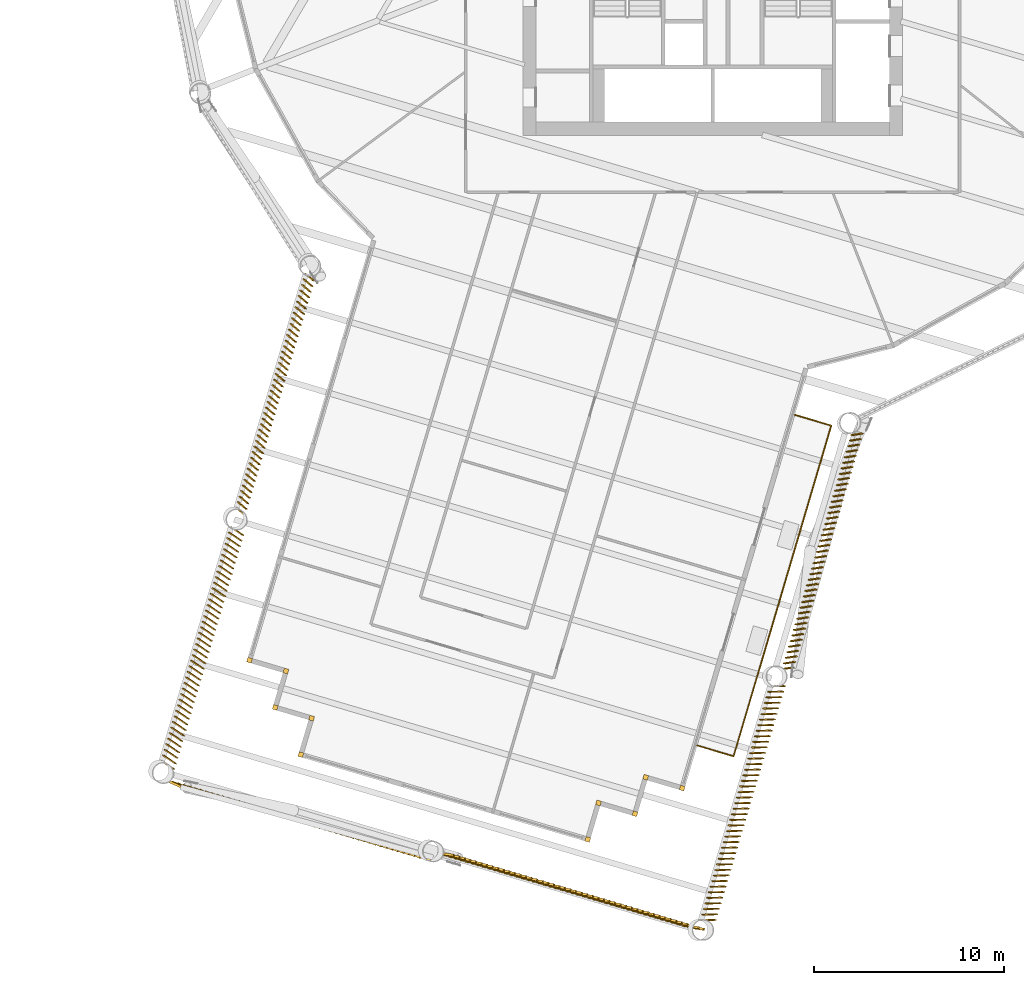
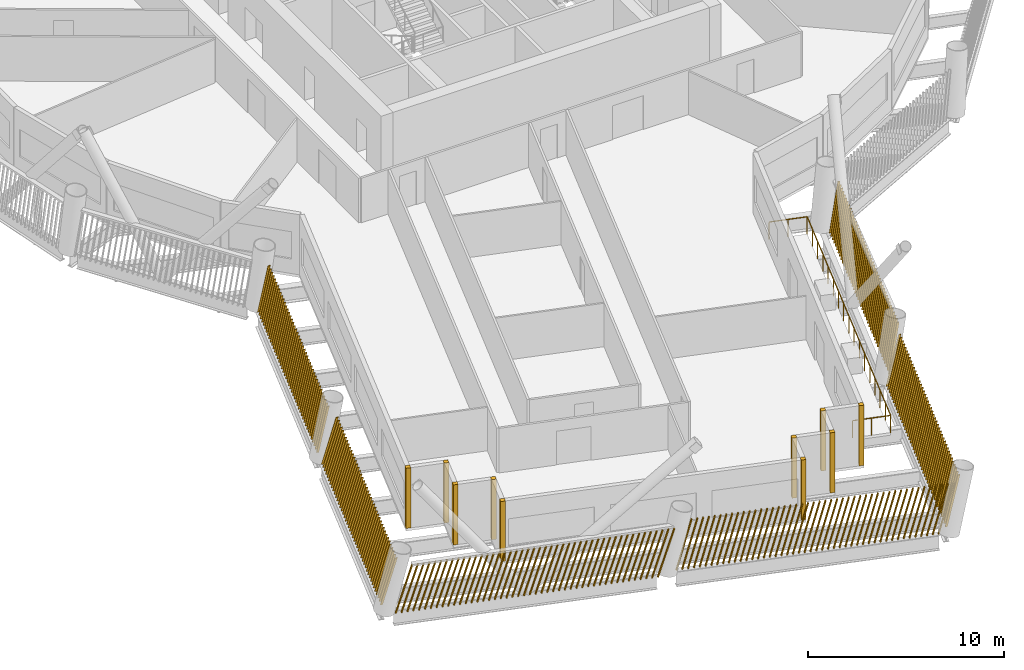
# One storey, part 19 of 23: 16 shading devices, 1 railing.
"""IFC4 building model written with IfcOpenShell, lengths in metres."""

from ifc_helpers import new_model, si_unit, direction, frame, frame_2d, origin, origin_2d, place, context, subcontext, project, spatial, rectangle, circle, composite_profile, extrude, material, type_object, element, save


model = new_model("IFC4")

# Units and contexts
model_context = context("Model", 3, precision=1e-05, world=origin(), true_north=direction((0.0, 1.0)))
body_context = subcontext(model_context, "Body", "Model", "MODEL_VIEW")
ifc_project = project(units=[si_unit("LENGTHUNIT", "METRE"), si_unit("AREAUNIT", "SQUARE_METRE"), si_unit("VOLUMEUNIT", "CUBIC_METRE"), si_unit("PLANEANGLEUNIT", "RADIAN"), si_unit("MASSUNIT", "GRAM", prefix="KILO")], contexts=[model_context])

# Site, building, storey
site_placement = place(None, origin())
site = spatial("IfcSite", under=ifc_project, at=site_placement, CompositionType="ELEMENT")
building_placement = place(site_placement, origin())
building = spatial("IfcBuilding", under=site, at=building_placement, Name="Tarsis Ring Headquarters", CompositionType="ELEMENT")
storey_placement = place(building_placement, frame((0.0, 0.0, 155.39990234375)))
storey = spatial("IfcBuildingStorey", under=building, at=storey_placement, Name="L35", CompositionType="ELEMENT", Elevation=155.39990234375)

# Railing
ifc_material_1 = material(Name="Stainless steel guard", Category="steel")
railing_type = type_object("IfcRailingType", Name="Balcony balustrade with mesh infill 1100", PredefinedType="BALUSTRADE", material=ifc_material_1)
railing_placement = place(storey_placement, frame((-0.8173828125, -45.117431640625, 0.0)))
element("IfcRailing", 1, at=railing_placement, inside=storey, type_object=railing_type, Name="Balcony balustrade L35-16", PredefinedType="BALUSTRADE", context=body_context, shape_type="SweptSolid", body=[
    extrude(circle(Radius=0.030029296875, at=origin_2d()), frame((0.0, 0.0, 1.070068359375), z_axis=(0.959020723633, -0.283335934261, 0.0), x_axis=(0.283335934261, 0.959020723633, 0.0)), (0.0, 0.0, 1.0), 2.0),
    extrude(circle(Radius=0.030029296875, at=origin_2d()), frame((1.91796875, -0.566650390625, 1.070068359375), z_axis=(0.283355981075, 0.959014800714, 0.0), x_axis=(-0.959014800714, 0.283355981075, 0.0)), (0.0, 0.0, 1.0), 18.1513671875),
    extrude(circle(Radius=0.030029296875, at=origin_2d()), frame((7.061279296875, 16.8408203125, 1.070068359375), z_axis=(-0.959030521997, 0.283302767157, 0.0), x_axis=(-0.283302767157, -0.959030521997, 0.0)), (0.0, 0.0, 1.0), 2.000244140625),
    extrude(circle(Radius=0.02490234375, at=origin_2d()), origin(), (0.0, 0.0, 1.0), 1.0400390625),
    extrude(circle(Radius=0.02490234375, at=origin_2d()), frame((0.958984375, -0.283203125, 0.0)), (0.0, 0.0, 1.0), 1.0400390625),
    extrude(circle(Radius=0.02490234375, at=origin_2d()), frame((1.91796875, -0.566650390625, 0.0)), (0.0, 0.0, 1.0), 1.0400390625),
    extrude(circle(Radius=0.02490234375, at=origin_2d()), frame((2.239501953125, 0.521240234375, 0.0)), (0.0, 0.0, 1.0), 1.0400390625),
    extrude(circle(Radius=0.02490234375, at=origin_2d()), frame((2.560791015625, 1.609375, 0.0)), (0.0, 0.0, 1.0), 1.0400390625),
    extrude(circle(Radius=0.02490234375, at=origin_2d()), frame((2.88232421875, 2.697265625, 0.0)), (0.0, 0.0, 1.0), 1.0400390625),
    extrude(circle(Radius=0.02490234375, at=origin_2d()), frame((3.203857421875, 3.78515625, 0.0)), (0.0, 0.0, 1.0), 1.0400390625),
    extrude(circle(Radius=0.02490234375, at=origin_2d()), frame((3.525146484375, 4.873291015625, 0.0)), (0.0, 0.0, 1.0), 1.0400390625),
    extrude(circle(Radius=0.02490234375, at=origin_2d()), frame((3.8466796875, 5.961181640625, 0.0)), (0.0, 0.0, 1.0), 1.0400390625),
    extrude(circle(Radius=0.02490234375, at=origin_2d()), frame((4.168212890625, 7.049072265625, 0.0)), (0.0, 0.0, 1.0), 1.0400390625),
    extrude(circle(Radius=0.02490234375, at=origin_2d()), frame((4.48974609375, 8.13720703125, 0.0)), (0.0, 0.0, 1.0), 1.0400390625),
    extrude(circle(Radius=0.02490234375, at=origin_2d()), frame((4.81103515625, 9.22509765625, 0.0)), (0.0, 0.0, 1.0), 1.0400390625),
    extrude(circle(Radius=0.02490234375, at=origin_2d()), frame((5.132568359375, 10.31298828125, 0.0)), (0.0, 0.0, 1.0), 1.0400390625),
    extrude(circle(Radius=0.02490234375, at=origin_2d()), frame((5.4541015625, 11.40087890625, 0.0)), (0.0, 0.0, 1.0), 1.0400390625),
    extrude(circle(Radius=0.02490234375, at=origin_2d()), frame((5.775390625, 12.489013671875, 0.0)), (0.0, 0.0, 1.0), 1.0400390625),
    extrude(circle(Radius=0.02490234375, at=origin_2d()), frame((6.096923828125, 13.576904296875, 0.0)), (0.0, 0.0, 1.0), 1.0400390625),
    extrude(circle(Radius=0.02490234375, at=origin_2d()), frame((6.41845703125, 14.664794921875, 0.0)), (0.0, 0.0, 1.0), 1.0400390625),
    extrude(circle(Radius=0.02490234375, at=origin_2d()), frame((6.73974609375, 15.7529296875, 0.0)), (0.0, 0.0, 1.0), 1.0400390625),
    extrude(circle(Radius=0.02490234375, at=origin_2d()), frame((7.061279296875, 16.8408203125, 0.0)), (0.0, 0.0, 1.0), 1.0400390625),
    extrude(circle(Radius=0.02490234375, at=origin_2d()), frame((6.10205078125, 17.1240234375, 0.0)), (0.0, 0.0, 1.0), 1.0400390625),
    extrude(circle(Radius=0.02490234375, at=origin_2d()), frame((5.14306640625, 17.407470703125, 0.0)), (0.0, 0.0, 1.0), 1.0400390625),
])

# Shading devices
ifc_material_2 = material(Name="Terracotta baguette", Category="masonry")
shading_device_type_1 = type_object("IfcShadingDeviceType", Name="Terracotta baguette screen", PredefinedType="USERDEFINED", material=ifc_material_2)
shading_device_1_placement = place(storey_placement, frame((-21.41748046875, -20.257080078125, 0.0), z_axis=(0.0, 0.0, 1.0), x_axis=(-0.28334090221, -0.959014532243, 0.0)))
element("IfcShadingDevice", 2, at=shading_device_1_placement, inside=storey, type_object=shading_device_type_1, Name="Baguette screen L35-01", ObjectType="Terracotta baguette screen", PredefinedType="USERDEFINED", context=body_context, shape_type="SweptSolid", body=[
    extrude(composite_profile([rectangle(XDim=0.06005859375, YDim=0.1201171875, at=frame_2d((0.030029296875, 0.0))), rectangle(XDim=0.06005859375, YDim=0.1201171875, at=frame_2d((0.335693359375, 0.0))), rectangle(XDim=0.06005859375, YDim=0.1201171875, at=frame_2d((0.6416015625, 0.0))), rectangle(XDim=0.06005859375, YDim=0.1201171875, at=frame_2d((0.947265625, 0.0))), rectangle(XDim=0.06005859375, YDim=0.1201171875, at=frame_2d((1.253173828125, 0.0))), rectangle(XDim=0.06005859375, YDim=0.1201171875, at=frame_2d((1.558837890625, 0.0))), rectangle(XDim=0.06005859375, YDim=0.1201171875, at=frame_2d((1.864501953125, 0.0))), rectangle(XDim=0.06005859375, YDim=0.1201171875, at=frame_2d((2.17041015625, 0.0))), rectangle(XDim=0.06005859375, YDim=0.1201171875, at=frame_2d((2.47607421875, 0.0))), rectangle(XDim=0.06005859375, YDim=0.1201171875, at=frame_2d((2.781982421875, 0.0))), rectangle(XDim=0.06005859375, YDim=0.1201171875, at=frame_2d((3.087646484375, 0.0))), rectangle(XDim=0.06005859375, YDim=0.1201171875, at=frame_2d((3.393310546875, 0.0))), rectangle(XDim=0.06005859375, YDim=0.1201171875, at=frame_2d((3.69921875, 0.0))), rectangle(XDim=0.06005859375, YDim=0.1201171875, at=frame_2d((4.0048828125, 0.0))), rectangle(XDim=0.06005859375, YDim=0.1201171875, at=frame_2d((4.310791015625, 0.0))), rectangle(XDim=0.06005859375, YDim=0.1201171875, at=frame_2d((4.616455078125, 0.0))), rectangle(XDim=0.06005859375, YDim=0.1201171875, at=frame_2d((4.922119140625, 0.0))), rectangle(XDim=0.06005859375, YDim=0.1201171875, at=frame_2d((5.22802734375, 0.0))), rectangle(XDim=0.06005859375, YDim=0.1201171875, at=frame_2d((5.53369140625, 0.0))), rectangle(XDim=0.06005859375, YDim=0.1201171875, at=frame_2d((5.839599609375, 0.0))), rectangle(XDim=0.06005859375, YDim=0.1201171875, at=frame_2d((6.145263671875, 0.0))), rectangle(XDim=0.06005859375, YDim=0.1201171875, at=frame_2d((6.451171875, 0.0))), rectangle(XDim=0.06005859375, YDim=0.1201171875, at=frame_2d((6.7568359375, 0.0))), rectangle(XDim=0.06005859375, YDim=0.1201171875, at=frame_2d((7.0625, 0.0))), rectangle(XDim=0.06005859375, YDim=0.1201171875, at=frame_2d((7.368408203125, 0.0))), rectangle(XDim=0.06005859375, YDim=0.1201171875, at=frame_2d((7.674072265625, 0.0))), rectangle(XDim=0.06005859375, YDim=0.1201171875, at=frame_2d((7.97998046875, 0.0))), rectangle(XDim=0.06005859375, YDim=0.1201171875, at=frame_2d((8.28564453125, 0.0))), rectangle(XDim=0.06005859375, YDim=0.1201171875, at=frame_2d((8.59130859375, 0.0))), rectangle(XDim=0.06005859375, YDim=0.1201171875, at=frame_2d((8.897216796875, 0.0))), rectangle(XDim=0.06005859375, YDim=0.1201171875, at=frame_2d((9.202880859375, 0.0))), rectangle(XDim=0.06005859375, YDim=0.1201171875, at=frame_2d((9.5087890625, 0.0))), rectangle(XDim=0.06005859375, YDim=0.1201171875, at=frame_2d((9.814453125, 0.0))), rectangle(XDim=0.06005859375, YDim=0.1201171875, at=frame_2d((10.1201171875, 0.0))), rectangle(XDim=0.06005859375, YDim=0.1201171875, at=frame_2d((10.426025390625, 0.0))), rectangle(XDim=0.06005859375, YDim=0.1201171875, at=frame_2d((10.731689453125, 0.0))), rectangle(XDim=0.06005859375, YDim=0.1201171875, at=frame_2d((11.03759765625, 0.0))), rectangle(XDim=0.06005859375, YDim=0.1201171875, at=frame_2d((11.34326171875, 0.0))), rectangle(XDim=0.06005859375, YDim=0.1201171875, at=frame_2d((11.64892578125, 0.0))), rectangle(XDim=0.06005859375, YDim=0.1201171875, at=frame_2d((11.954833984375, 0.0))), rectangle(XDim=0.06005859375, YDim=0.1201171875, at=frame_2d((12.260498046875, 0.0))), rectangle(XDim=0.06005859375, YDim=0.1201171875, at=frame_2d((12.56640625, 0.0))), rectangle(XDim=0.06005859375, YDim=0.1201171875, at=frame_2d((12.8720703125, 0.0)))]), origin(), (0.076135885713, 0.167784273662, 0.982879323426), 3.00146484375),
])
shading_device_2_placement = place(storey_placement, frame((-25.356689453125, -33.589599609375, 0.0), z_axis=(0.0, 0.0, 1.0), x_axis=(-0.28334090221, -0.959014532243, 0.0)))
element("IfcShadingDevice", 3, at=shading_device_2_placement, inside=storey, type_object=shading_device_type_1, Name="Baguette screen L35-02", ObjectType="Terracotta baguette screen", PredefinedType="USERDEFINED", context=body_context, shape_type="SweptSolid", body=[
    extrude(composite_profile([rectangle(XDim=0.06005859375, YDim=0.1201171875, at=frame_2d((0.030029296875, 0.0))), rectangle(XDim=0.06005859375, YDim=0.1201171875, at=frame_2d((0.335693359375, 0.0))), rectangle(XDim=0.06005859375, YDim=0.1201171875, at=frame_2d((0.6416015625, 0.0))), rectangle(XDim=0.06005859375, YDim=0.1201171875, at=frame_2d((0.947265625, 0.0))), rectangle(XDim=0.06005859375, YDim=0.1201171875, at=frame_2d((1.253173828125, 0.0))), rectangle(XDim=0.06005859375, YDim=0.1201171875, at=frame_2d((1.558837890625, 0.0))), rectangle(XDim=0.06005859375, YDim=0.1201171875, at=frame_2d((1.864501953125, 0.0))), rectangle(XDim=0.06005859375, YDim=0.1201171875, at=frame_2d((2.17041015625, 0.0))), rectangle(XDim=0.06005859375, YDim=0.1201171875, at=frame_2d((2.47607421875, 0.0))), rectangle(XDim=0.06005859375, YDim=0.1201171875, at=frame_2d((2.781982421875, 0.0))), rectangle(XDim=0.06005859375, YDim=0.1201171875, at=frame_2d((3.087646484375, 0.0))), rectangle(XDim=0.06005859375, YDim=0.1201171875, at=frame_2d((3.393310546875, 0.0))), rectangle(XDim=0.06005859375, YDim=0.1201171875, at=frame_2d((3.69921875, 0.0))), rectangle(XDim=0.06005859375, YDim=0.1201171875, at=frame_2d((4.0048828125, 0.0))), rectangle(XDim=0.06005859375, YDim=0.1201171875, at=frame_2d((4.310791015625, 0.0))), rectangle(XDim=0.06005859375, YDim=0.1201171875, at=frame_2d((4.616455078125, 0.0))), rectangle(XDim=0.06005859375, YDim=0.1201171875, at=frame_2d((4.922119140625, 0.0))), rectangle(XDim=0.06005859375, YDim=0.1201171875, at=frame_2d((5.22802734375, 0.0))), rectangle(XDim=0.06005859375, YDim=0.1201171875, at=frame_2d((5.53369140625, 0.0))), rectangle(XDim=0.06005859375, YDim=0.1201171875, at=frame_2d((5.839599609375, 0.0))), rectangle(XDim=0.06005859375, YDim=0.1201171875, at=frame_2d((6.145263671875, 0.0))), rectangle(XDim=0.06005859375, YDim=0.1201171875, at=frame_2d((6.451171875, 0.0))), rectangle(XDim=0.06005859375, YDim=0.1201171875, at=frame_2d((6.7568359375, 0.0))), rectangle(XDim=0.06005859375, YDim=0.1201171875, at=frame_2d((7.0625, 0.0))), rectangle(XDim=0.06005859375, YDim=0.1201171875, at=frame_2d((7.368408203125, 0.0))), rectangle(XDim=0.06005859375, YDim=0.1201171875, at=frame_2d((7.674072265625, 0.0))), rectangle(XDim=0.06005859375, YDim=0.1201171875, at=frame_2d((7.97998046875, 0.0))), rectangle(XDim=0.06005859375, YDim=0.1201171875, at=frame_2d((8.28564453125, 0.0))), rectangle(XDim=0.06005859375, YDim=0.1201171875, at=frame_2d((8.59130859375, 0.0))), rectangle(XDim=0.06005859375, YDim=0.1201171875, at=frame_2d((8.897216796875, 0.0))), rectangle(XDim=0.06005859375, YDim=0.1201171875, at=frame_2d((9.202880859375, 0.0))), rectangle(XDim=0.06005859375, YDim=0.1201171875, at=frame_2d((9.5087890625, 0.0))), rectangle(XDim=0.06005859375, YDim=0.1201171875, at=frame_2d((9.814453125, 0.0))), rectangle(XDim=0.06005859375, YDim=0.1201171875, at=frame_2d((10.1201171875, 0.0))), rectangle(XDim=0.06005859375, YDim=0.1201171875, at=frame_2d((10.426025390625, 0.0))), rectangle(XDim=0.06005859375, YDim=0.1201171875, at=frame_2d((10.731689453125, 0.0))), rectangle(XDim=0.06005859375, YDim=0.1201171875, at=frame_2d((11.03759765625, 0.0))), rectangle(XDim=0.06005859375, YDim=0.1201171875, at=frame_2d((11.34326171875, 0.0))), rectangle(XDim=0.06005859375, YDim=0.1201171875, at=frame_2d((11.64892578125, 0.0))), rectangle(XDim=0.06005859375, YDim=0.1201171875, at=frame_2d((11.954833984375, 0.0))), rectangle(XDim=0.06005859375, YDim=0.1201171875, at=frame_2d((12.260498046875, 0.0))), rectangle(XDim=0.06005859375, YDim=0.1201171875, at=frame_2d((12.56640625, 0.0))), rectangle(XDim=0.06005859375, YDim=0.1201171875, at=frame_2d((12.8720703125, 0.0)))]), origin(), (0.074469768209, 0.237049605147, 0.968639116659), 3.045654296875),
])
shading_device_3_placement = place(storey_placement, frame((-28.78076171875, -46.94384765625, 0.0), z_axis=(0.0, 0.0, 1.0), x_axis=(0.959009287926, -0.283343653251, 0.0)))
element("IfcShadingDevice", 4, at=shading_device_3_placement, inside=storey, type_object=shading_device_type_1, Name="Baguette screen L35-03", ObjectType="Terracotta baguette screen", PredefinedType="USERDEFINED", context=body_context, shape_type="SweptSolid", body=[
    extrude(composite_profile([rectangle(XDim=0.06005859375, YDim=0.1201171875, at=frame_2d((0.030029296875, 0.0))), rectangle(XDim=0.06005859375, YDim=0.1201171875, at=frame_2d((0.33544921875, 0.0))), rectangle(XDim=0.06005859375, YDim=0.1201171875, at=frame_2d((0.640625, 0.0))), rectangle(XDim=0.06005859375, YDim=0.1201171875, at=frame_2d((0.946044921875, 0.0))), rectangle(XDim=0.06005859375, YDim=0.1201171875, at=frame_2d((1.25146484375, 0.0))), rectangle(XDim=0.06005859375, YDim=0.1201171875, at=frame_2d((1.556640625, 0.0))), rectangle(XDim=0.06005859375, YDim=0.1201171875, at=frame_2d((1.862060546875, 0.0))), rectangle(XDim=0.06005859375, YDim=0.1201171875, at=frame_2d((2.16748046875, 0.0))), rectangle(XDim=0.06005859375, YDim=0.1201171875, at=frame_2d((2.47265625, 0.0))), rectangle(XDim=0.06005859375, YDim=0.1201171875, at=frame_2d((2.778076171875, 0.0))), rectangle(XDim=0.06005859375, YDim=0.1201171875, at=frame_2d((3.08349609375, 0.0))), rectangle(XDim=0.06005859375, YDim=0.1201171875, at=frame_2d((3.388671875, 0.0))), rectangle(XDim=0.06005859375, YDim=0.1201171875, at=frame_2d((3.694091796875, 0.0))), rectangle(XDim=0.06005859375, YDim=0.1201171875, at=frame_2d((3.99951171875, 0.0))), rectangle(XDim=0.06005859375, YDim=0.1201171875, at=frame_2d((4.3046875, 0.0))), rectangle(XDim=0.06005859375, YDim=0.1201171875, at=frame_2d((4.610107421875, 0.0))), rectangle(XDim=0.06005859375, YDim=0.1201171875, at=frame_2d((4.91552734375, 0.0))), rectangle(XDim=0.06005859375, YDim=0.1201171875, at=frame_2d((5.220703125, 0.0))), rectangle(XDim=0.06005859375, YDim=0.1201171875, at=frame_2d((5.526123046875, 0.0))), rectangle(XDim=0.06005859375, YDim=0.1201171875, at=frame_2d((5.83154296875, 0.0))), rectangle(XDim=0.06005859375, YDim=0.1201171875, at=frame_2d((6.13671875, 0.0))), rectangle(XDim=0.06005859375, YDim=0.1201171875, at=frame_2d((6.442138671875, 0.0))), rectangle(XDim=0.06005859375, YDim=0.1201171875, at=frame_2d((6.74755859375, 0.0))), rectangle(XDim=0.06005859375, YDim=0.1201171875, at=frame_2d((7.052734375, 0.0))), rectangle(XDim=0.06005859375, YDim=0.1201171875, at=frame_2d((7.358154296875, 0.0))), rectangle(XDim=0.06005859375, YDim=0.1201171875, at=frame_2d((7.66357421875, 0.0))), rectangle(XDim=0.06005859375, YDim=0.1201171875, at=frame_2d((7.96875, 0.0))), rectangle(XDim=0.06005859375, YDim=0.1201171875, at=frame_2d((8.274169921875, 0.0))), rectangle(XDim=0.06005859375, YDim=0.1201171875, at=frame_2d((8.57958984375, 0.0))), rectangle(XDim=0.06005859375, YDim=0.1201171875, at=frame_2d((8.884765625, 0.0))), rectangle(XDim=0.06005859375, YDim=0.1201171875, at=frame_2d((9.190185546875, 0.0))), rectangle(XDim=0.06005859375, YDim=0.1201171875, at=frame_2d((9.49560546875, 0.0))), rectangle(XDim=0.06005859375, YDim=0.1201171875, at=frame_2d((9.80078125, 0.0))), rectangle(XDim=0.06005859375, YDim=0.1201171875, at=frame_2d((10.106201171875, 0.0))), rectangle(XDim=0.06005859375, YDim=0.1201171875, at=frame_2d((10.41162109375, 0.0))), rectangle(XDim=0.06005859375, YDim=0.1201171875, at=frame_2d((10.716796875, 0.0))), rectangle(XDim=0.06005859375, YDim=0.1201171875, at=frame_2d((11.022216796875, 0.0))), rectangle(XDim=0.06005859375, YDim=0.1201171875, at=frame_2d((11.32763671875, 0.0))), rectangle(XDim=0.06005859375, YDim=0.1201171875, at=frame_2d((11.6328125, 0.0))), rectangle(XDim=0.06005859375, YDim=0.1201171875, at=frame_2d((11.938232421875, 0.0))), rectangle(XDim=0.06005859375, YDim=0.1201171875, at=frame_2d((12.24365234375, 0.0))), rectangle(XDim=0.06005859375, YDim=0.1201171875, at=frame_2d((12.548828125, 0.0))), rectangle(XDim=0.06005859375, YDim=0.1201171875, at=frame_2d((12.854248046875, 0.0))), rectangle(XDim=0.06005859375, YDim=0.1201171875, at=frame_2d((13.15966796875, 0.0))), rectangle(XDim=0.06005859375, YDim=0.1201171875, at=frame_2d((13.46484375, 0.0))), rectangle(XDim=0.06005859375, YDim=0.1201171875, at=frame_2d((13.770263671875, 0.0)))]), origin(), (0.272504713626, -0.035743277988, 0.961490301111), 3.068359375),
])
shading_device_4_placement = place(storey_placement, frame((-14.481201171875, -50.77783203125, 0.0), z_axis=(0.0, 0.0, 1.0), x_axis=(0.959009287926, -0.283343653251, 0.0)))
element("IfcShadingDevice", 5, at=shading_device_4_placement, inside=storey, type_object=shading_device_type_1, Name="Baguette screen L35-04", ObjectType="Terracotta baguette screen", PredefinedType="USERDEFINED", context=body_context, shape_type="SweptSolid", body=[
    extrude(composite_profile([rectangle(XDim=0.06005859375, YDim=0.1201171875, at=frame_2d((0.030029296875, 0.0))), rectangle(XDim=0.06005859375, YDim=0.1201171875, at=frame_2d((0.33544921875, 0.0))), rectangle(XDim=0.06005859375, YDim=0.1201171875, at=frame_2d((0.640625, 0.0))), rectangle(XDim=0.06005859375, YDim=0.1201171875, at=frame_2d((0.946044921875, 0.0))), rectangle(XDim=0.06005859375, YDim=0.1201171875, at=frame_2d((1.25146484375, 0.0))), rectangle(XDim=0.06005859375, YDim=0.1201171875, at=frame_2d((1.556640625, 0.0))), rectangle(XDim=0.06005859375, YDim=0.1201171875, at=frame_2d((1.862060546875, 0.0))), rectangle(XDim=0.06005859375, YDim=0.1201171875, at=frame_2d((2.16748046875, 0.0))), rectangle(XDim=0.06005859375, YDim=0.1201171875, at=frame_2d((2.47265625, 0.0))), rectangle(XDim=0.06005859375, YDim=0.1201171875, at=frame_2d((2.778076171875, 0.0))), rectangle(XDim=0.06005859375, YDim=0.1201171875, at=frame_2d((3.08349609375, 0.0))), rectangle(XDim=0.06005859375, YDim=0.1201171875, at=frame_2d((3.388671875, 0.0))), rectangle(XDim=0.06005859375, YDim=0.1201171875, at=frame_2d((3.694091796875, 0.0))), rectangle(XDim=0.06005859375, YDim=0.1201171875, at=frame_2d((3.99951171875, 0.0))), rectangle(XDim=0.06005859375, YDim=0.1201171875, at=frame_2d((4.3046875, 0.0))), rectangle(XDim=0.06005859375, YDim=0.1201171875, at=frame_2d((4.610107421875, 0.0))), rectangle(XDim=0.06005859375, YDim=0.1201171875, at=frame_2d((4.91552734375, 0.0))), rectangle(XDim=0.06005859375, YDim=0.1201171875, at=frame_2d((5.220703125, 0.0))), rectangle(XDim=0.06005859375, YDim=0.1201171875, at=frame_2d((5.526123046875, 0.0))), rectangle(XDim=0.06005859375, YDim=0.1201171875, at=frame_2d((5.83154296875, 0.0))), rectangle(XDim=0.06005859375, YDim=0.1201171875, at=frame_2d((6.13671875, 0.0))), rectangle(XDim=0.06005859375, YDim=0.1201171875, at=frame_2d((6.442138671875, 0.0))), rectangle(XDim=0.06005859375, YDim=0.1201171875, at=frame_2d((6.74755859375, 0.0))), rectangle(XDim=0.06005859375, YDim=0.1201171875, at=frame_2d((7.052734375, 0.0))), rectangle(XDim=0.06005859375, YDim=0.1201171875, at=frame_2d((7.358154296875, 0.0))), rectangle(XDim=0.06005859375, YDim=0.1201171875, at=frame_2d((7.66357421875, 0.0))), rectangle(XDim=0.06005859375, YDim=0.1201171875, at=frame_2d((7.96875, 0.0))), rectangle(XDim=0.06005859375, YDim=0.1201171875, at=frame_2d((8.274169921875, 0.0))), rectangle(XDim=0.06005859375, YDim=0.1201171875, at=frame_2d((8.57958984375, 0.0))), rectangle(XDim=0.06005859375, YDim=0.1201171875, at=frame_2d((8.884765625, 0.0))), rectangle(XDim=0.06005859375, YDim=0.1201171875, at=frame_2d((9.190185546875, 0.0))), rectangle(XDim=0.06005859375, YDim=0.1201171875, at=frame_2d((9.49560546875, 0.0))), rectangle(XDim=0.06005859375, YDim=0.1201171875, at=frame_2d((9.80078125, 0.0))), rectangle(XDim=0.06005859375, YDim=0.1201171875, at=frame_2d((10.106201171875, 0.0))), rectangle(XDim=0.06005859375, YDim=0.1201171875, at=frame_2d((10.41162109375, 0.0))), rectangle(XDim=0.06005859375, YDim=0.1201171875, at=frame_2d((10.716796875, 0.0))), rectangle(XDim=0.06005859375, YDim=0.1201171875, at=frame_2d((11.022216796875, 0.0))), rectangle(XDim=0.06005859375, YDim=0.1201171875, at=frame_2d((11.32763671875, 0.0))), rectangle(XDim=0.06005859375, YDim=0.1201171875, at=frame_2d((11.6328125, 0.0))), rectangle(XDim=0.06005859375, YDim=0.1201171875, at=frame_2d((11.938232421875, 0.0))), rectangle(XDim=0.06005859375, YDim=0.1201171875, at=frame_2d((12.24365234375, 0.0))), rectangle(XDim=0.06005859375, YDim=0.1201171875, at=frame_2d((12.548828125, 0.0))), rectangle(XDim=0.06005859375, YDim=0.1201171875, at=frame_2d((12.854248046875, 0.0))), rectangle(XDim=0.06005859375, YDim=0.1201171875, at=frame_2d((13.15966796875, 0.0))), rectangle(XDim=0.06005859375, YDim=0.1201171875, at=frame_2d((13.46484375, 0.0))), rectangle(XDim=0.06005859375, YDim=0.1201171875, at=frame_2d((13.770263671875, 0.0)))]), origin(), (0.270130628994, 0.040025209195, 0.961991385568), 3.066650390625),
])
shading_device_5_placement = place(storey_placement, frame((-0.62548828125, -54.35009765625, 0.0), z_axis=(0.0, 0.0, 1.0), x_axis=(0.28334090221, 0.959014532243, 0.0)))
element("IfcShadingDevice", 6, at=shading_device_5_placement, inside=storey, type_object=shading_device_type_1, Name="Baguette screen L35-05", ObjectType="Terracotta baguette screen", PredefinedType="USERDEFINED", context=body_context, shape_type="SweptSolid", body=[
    extrude(composite_profile([rectangle(XDim=0.06005859375, YDim=0.1201171875, at=frame_2d((0.030029296875, 0.0))), rectangle(XDim=0.06005859375, YDim=0.1201171875, at=frame_2d((0.335693359375, 0.0))), rectangle(XDim=0.06005859375, YDim=0.1201171875, at=frame_2d((0.6416015625, 0.0))), rectangle(XDim=0.06005859375, YDim=0.1201171875, at=frame_2d((0.947265625, 0.0))), rectangle(XDim=0.06005859375, YDim=0.1201171875, at=frame_2d((1.253173828125, 0.0))), rectangle(XDim=0.06005859375, YDim=0.1201171875, at=frame_2d((1.558837890625, 0.0))), rectangle(XDim=0.06005859375, YDim=0.1201171875, at=frame_2d((1.864501953125, 0.0))), rectangle(XDim=0.06005859375, YDim=0.1201171875, at=frame_2d((2.17041015625, 0.0))), rectangle(XDim=0.06005859375, YDim=0.1201171875, at=frame_2d((2.47607421875, 0.0))), rectangle(XDim=0.06005859375, YDim=0.1201171875, at=frame_2d((2.781982421875, 0.0))), rectangle(XDim=0.06005859375, YDim=0.1201171875, at=frame_2d((3.087646484375, 0.0))), rectangle(XDim=0.06005859375, YDim=0.1201171875, at=frame_2d((3.393310546875, 0.0))), rectangle(XDim=0.06005859375, YDim=0.1201171875, at=frame_2d((3.69921875, 0.0))), rectangle(XDim=0.06005859375, YDim=0.1201171875, at=frame_2d((4.0048828125, 0.0))), rectangle(XDim=0.06005859375, YDim=0.1201171875, at=frame_2d((4.310791015625, 0.0))), rectangle(XDim=0.06005859375, YDim=0.1201171875, at=frame_2d((4.616455078125, 0.0))), rectangle(XDim=0.06005859375, YDim=0.1201171875, at=frame_2d((4.922119140625, 0.0))), rectangle(XDim=0.06005859375, YDim=0.1201171875, at=frame_2d((5.22802734375, 0.0))), rectangle(XDim=0.06005859375, YDim=0.1201171875, at=frame_2d((5.53369140625, 0.0))), rectangle(XDim=0.06005859375, YDim=0.1201171875, at=frame_2d((5.839599609375, 0.0))), rectangle(XDim=0.06005859375, YDim=0.1201171875, at=frame_2d((6.145263671875, 0.0))), rectangle(XDim=0.06005859375, YDim=0.1201171875, at=frame_2d((6.451171875, 0.0))), rectangle(XDim=0.06005859375, YDim=0.1201171875, at=frame_2d((6.7568359375, 0.0))), rectangle(XDim=0.06005859375, YDim=0.1201171875, at=frame_2d((7.0625, 0.0))), rectangle(XDim=0.06005859375, YDim=0.1201171875, at=frame_2d((7.368408203125, 0.0))), rectangle(XDim=0.06005859375, YDim=0.1201171875, at=frame_2d((7.674072265625, 0.0))), rectangle(XDim=0.06005859375, YDim=0.1201171875, at=frame_2d((7.97998046875, 0.0))), rectangle(XDim=0.06005859375, YDim=0.1201171875, at=frame_2d((8.28564453125, 0.0))), rectangle(XDim=0.06005859375, YDim=0.1201171875, at=frame_2d((8.59130859375, 0.0))), rectangle(XDim=0.06005859375, YDim=0.1201171875, at=frame_2d((8.897216796875, 0.0))), rectangle(XDim=0.06005859375, YDim=0.1201171875, at=frame_2d((9.202880859375, 0.0))), rectangle(XDim=0.06005859375, YDim=0.1201171875, at=frame_2d((9.5087890625, 0.0))), rectangle(XDim=0.06005859375, YDim=0.1201171875, at=frame_2d((9.814453125, 0.0))), rectangle(XDim=0.06005859375, YDim=0.1201171875, at=frame_2d((10.1201171875, 0.0))), rectangle(XDim=0.06005859375, YDim=0.1201171875, at=frame_2d((10.426025390625, 0.0))), rectangle(XDim=0.06005859375, YDim=0.1201171875, at=frame_2d((10.731689453125, 0.0))), rectangle(XDim=0.06005859375, YDim=0.1201171875, at=frame_2d((11.03759765625, 0.0))), rectangle(XDim=0.06005859375, YDim=0.1201171875, at=frame_2d((11.34326171875, 0.0))), rectangle(XDim=0.06005859375, YDim=0.1201171875, at=frame_2d((11.64892578125, 0.0))), rectangle(XDim=0.06005859375, YDim=0.1201171875, at=frame_2d((11.954833984375, 0.0))), rectangle(XDim=0.06005859375, YDim=0.1201171875, at=frame_2d((12.260498046875, 0.0))), rectangle(XDim=0.06005859375, YDim=0.1201171875, at=frame_2d((12.56640625, 0.0))), rectangle(XDim=0.06005859375, YDim=0.1201171875, at=frame_2d((12.8720703125, 0.0)))]), origin(), (0.078182289635, -0.235851001613, 0.96863916637), 3.045654296875),
])
shading_device_6_placement = place(storey_placement, frame((3.67333984375, -41.1240234375, 0.0), z_axis=(0.0, 0.0, 1.0), x_axis=(0.28334090221, 0.959014532243, 0.0)))
element("IfcShadingDevice", 7, at=shading_device_6_placement, inside=storey, type_object=shading_device_type_1, Name="Baguette screen L35-06", ObjectType="Terracotta baguette screen", PredefinedType="USERDEFINED", context=body_context, shape_type="SweptSolid", body=[
    extrude(composite_profile([rectangle(XDim=0.06005859375, YDim=0.1201171875, at=frame_2d((0.030029296875, 0.0))), rectangle(XDim=0.06005859375, YDim=0.1201171875, at=frame_2d((0.335693359375, 0.0))), rectangle(XDim=0.06005859375, YDim=0.1201171875, at=frame_2d((0.6416015625, 0.0))), rectangle(XDim=0.06005859375, YDim=0.1201171875, at=frame_2d((0.947265625, 0.0))), rectangle(XDim=0.06005859375, YDim=0.1201171875, at=frame_2d((1.253173828125, 0.0))), rectangle(XDim=0.06005859375, YDim=0.1201171875, at=frame_2d((1.558837890625, 0.0))), rectangle(XDim=0.06005859375, YDim=0.1201171875, at=frame_2d((1.864501953125, 0.0))), rectangle(XDim=0.06005859375, YDim=0.1201171875, at=frame_2d((2.17041015625, 0.0))), rectangle(XDim=0.06005859375, YDim=0.1201171875, at=frame_2d((2.47607421875, 0.0))), rectangle(XDim=0.06005859375, YDim=0.1201171875, at=frame_2d((2.781982421875, 0.0))), rectangle(XDim=0.06005859375, YDim=0.1201171875, at=frame_2d((3.087646484375, 0.0))), rectangle(XDim=0.06005859375, YDim=0.1201171875, at=frame_2d((3.393310546875, 0.0))), rectangle(XDim=0.06005859375, YDim=0.1201171875, at=frame_2d((3.69921875, 0.0))), rectangle(XDim=0.06005859375, YDim=0.1201171875, at=frame_2d((4.0048828125, 0.0))), rectangle(XDim=0.06005859375, YDim=0.1201171875, at=frame_2d((4.310791015625, 0.0))), rectangle(XDim=0.06005859375, YDim=0.1201171875, at=frame_2d((4.616455078125, 0.0))), rectangle(XDim=0.06005859375, YDim=0.1201171875, at=frame_2d((4.922119140625, 0.0))), rectangle(XDim=0.06005859375, YDim=0.1201171875, at=frame_2d((5.22802734375, 0.0))), rectangle(XDim=0.06005859375, YDim=0.1201171875, at=frame_2d((5.53369140625, 0.0))), rectangle(XDim=0.06005859375, YDim=0.1201171875, at=frame_2d((5.839599609375, 0.0))), rectangle(XDim=0.06005859375, YDim=0.1201171875, at=frame_2d((6.145263671875, 0.0))), rectangle(XDim=0.06005859375, YDim=0.1201171875, at=frame_2d((6.451171875, 0.0))), rectangle(XDim=0.06005859375, YDim=0.1201171875, at=frame_2d((6.7568359375, 0.0))), rectangle(XDim=0.06005859375, YDim=0.1201171875, at=frame_2d((7.0625, 0.0))), rectangle(XDim=0.06005859375, YDim=0.1201171875, at=frame_2d((7.368408203125, 0.0))), rectangle(XDim=0.06005859375, YDim=0.1201171875, at=frame_2d((7.674072265625, 0.0))), rectangle(XDim=0.06005859375, YDim=0.1201171875, at=frame_2d((7.97998046875, 0.0))), rectangle(XDim=0.06005859375, YDim=0.1201171875, at=frame_2d((8.28564453125, 0.0))), rectangle(XDim=0.06005859375, YDim=0.1201171875, at=frame_2d((8.59130859375, 0.0))), rectangle(XDim=0.06005859375, YDim=0.1201171875, at=frame_2d((8.897216796875, 0.0))), rectangle(XDim=0.06005859375, YDim=0.1201171875, at=frame_2d((9.202880859375, 0.0))), rectangle(XDim=0.06005859375, YDim=0.1201171875, at=frame_2d((9.5087890625, 0.0))), rectangle(XDim=0.06005859375, YDim=0.1201171875, at=frame_2d((9.814453125, 0.0))), rectangle(XDim=0.06005859375, YDim=0.1201171875, at=frame_2d((10.1201171875, 0.0))), rectangle(XDim=0.06005859375, YDim=0.1201171875, at=frame_2d((10.426025390625, 0.0))), rectangle(XDim=0.06005859375, YDim=0.1201171875, at=frame_2d((10.731689453125, 0.0))), rectangle(XDim=0.06005859375, YDim=0.1201171875, at=frame_2d((11.03759765625, 0.0))), rectangle(XDim=0.06005859375, YDim=0.1201171875, at=frame_2d((11.34326171875, 0.0))), rectangle(XDim=0.06005859375, YDim=0.1201171875, at=frame_2d((11.64892578125, 0.0))), rectangle(XDim=0.06005859375, YDim=0.1201171875, at=frame_2d((11.954833984375, 0.0))), rectangle(XDim=0.06005859375, YDim=0.1201171875, at=frame_2d((12.260498046875, 0.0))), rectangle(XDim=0.06005859375, YDim=0.1201171875, at=frame_2d((12.56640625, 0.0))), rectangle(XDim=0.06005859375, YDim=0.1201171875, at=frame_2d((12.8720703125, 0.0)))]), origin(), (0.080710435415, -0.16652743949, 0.982728058779), 3.001953125),
])
shading_device_type_2 = type_object("IfcShadingDeviceType", Name="Terracotta corner baguette 250x250", PredefinedType="USERDEFINED", material=ifc_material_2)
for number, where, z_axis, x_axis, name in (
    (8, (-24.38671875, -40.630126953125, 0.0), (0.0, 0.0, 1.0), (-0.283345893093, -0.959017781309, 0.0), "Corner baguette L35-07"),
    (9, (-22.46875, -41.197021484375, 0.0), (0.0, 0.0, 1.0), (0.959017810981, -0.283345792665, 0.0), "Corner baguette L35-08"),
    (10, (-23.035400390625, -43.114990234375, 0.0), (0.0, 0.0, 1.0), (-0.283346529138, -0.959017593387, 0.0), "Corner baguette L35-09"),
    (11, (-21.117431640625, -43.681640625, 0.0), (0.0, 0.0, 1.0), (0.959017771419, -0.283345926569, 0.0), "Corner baguette L35-10"),
    (12, (-21.68408203125, -45.599609375, 0.0), (0.0, 0.0, 1.0), (-0.283345926569, -0.959017771419, 0.0), "Corner baguette L35-11"),
    (13, (-6.57958984375, -50.062255859375, 0.0), (0.0, 0.0, 1.0), (0.959017781309, -0.283345893093, 0.0), "Corner baguette L35-12"),
    (14, (-6.012939453125, -48.144287109375, 0.0), (0.0, 0.0, 1.0), (0.283346060473, 0.959017731856, 0.0), "Corner baguette L35-13"),
    (15, (-4.094970703125, -48.7109375, 0.0), (0.0, 0.0, 1.0), (0.959017904942, -0.283345474643, 0.0), "Corner baguette L35-14"),
    (16, (-3.528076171875, -46.79296875, 0.0), (0.0, 0.0, 1.0), (0.283345926569, 0.959017771419, 0.0), "Corner baguette L35-15"),
    (17, (-1.610107421875, -47.359619140625, 0.0), (0.0, 0.0, 1.0), (0.959017731856, -0.283346060473, 0.0), "Corner baguette L35-16"),
):
    element("IfcShadingDevice", number, at=place(storey_placement, frame(where, z_axis=z_axis, x_axis=x_axis)), inside=storey, type_object=shading_device_type_2, Name=name, ObjectType="Terracotta corner baguette", PredefinedType="USERDEFINED", context=body_context, shape_type="SweptSolid", body=[
        extrude(rectangle(XDim=0.25, YDim=0.25, at=origin_2d()), origin(), (0.0, 0.0, 1.0), 3.739990234375),
    ])

save(model, "model.ifc")
